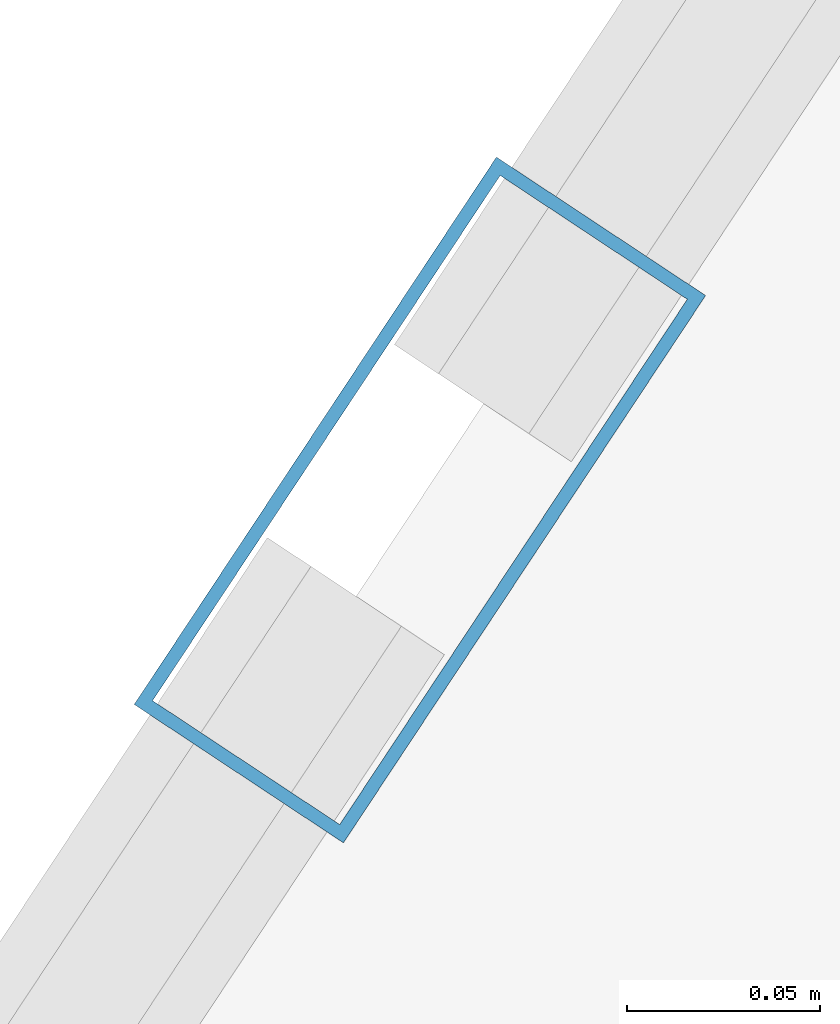
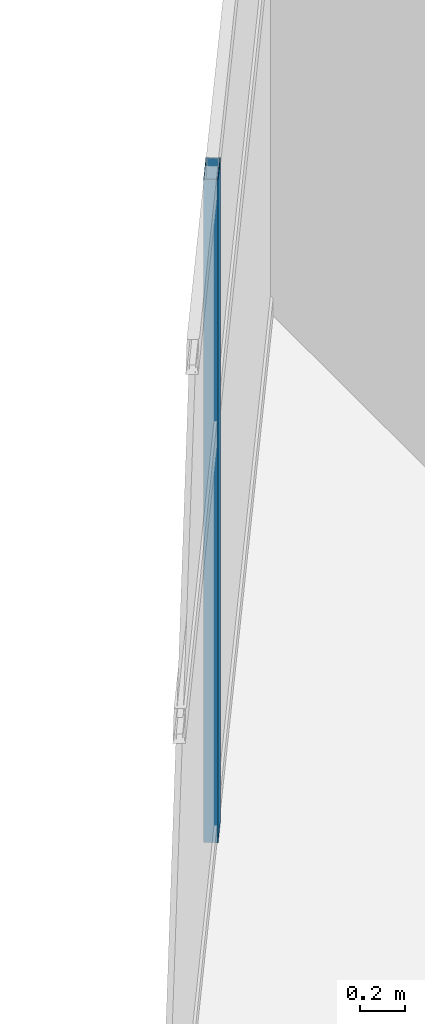
# One storey, part 13 of 28: 1 member, 1 element without a shape of its own.
"""IFC4 building model written with IfcOpenShell, lengths in metres."""

from ifc_helpers import new_model, si_unit, direction, frame, origin, origin_2d, place, context, subcontext, project, spatial, hollow_rectangle, extrude, material, layer, layer_set, material_profile, profile_set, type_object, element, aggregate, save


model = new_model("IFC4")

# Units and contexts
model_context = context("Model", 3, precision=1e-05, world=origin(), true_north=direction((0.0, 1.0)))
body_context = subcontext(model_context, "Body", "Model", "MODEL_VIEW")
ifc_project = project(units=[si_unit("LENGTHUNIT", "METRE"), si_unit("AREAUNIT", "SQUARE_METRE"), si_unit("VOLUMEUNIT", "CUBIC_METRE"), si_unit("PLANEANGLEUNIT", "RADIAN"), si_unit("MASSUNIT", "GRAM", prefix="KILO")], contexts=[model_context])

# Site, building, storey
site_placement = place(None, origin())
site = spatial("IfcSite", under=ifc_project, at=site_placement, CompositionType="ELEMENT")
building_placement = place(site_placement, origin())
building = spatial("IfcBuilding", under=site, at=building_placement, Name="Calvorn Quay Hotel", CompositionType="ELEMENT")
storey_placement = place(building_placement, frame((0.0, 0.0, 267.300048828125)))
storey = spatial("IfcBuildingStorey", under=building, at=storey_placement, Name="L66", CompositionType="ELEMENT", Elevation=267.300048828125)

# Curtain wall, member
ifc_material_1 = material(Name="Champagne Bronze Anodised Aluminium and Low-E Glass", Category="aluminium")
ifc_layer = layer(ifc_material_1, 0.219970703125)
ifc_layer_set = layer_set([ifc_layer], Name="CW-SYS-Z4")
curtain_wall_type = type_object("IfcCurtainWallType", Name="CW-SYS-Z4", PredefinedType="NOTDEFINED", material=ifc_layer_set)
curtain_wall_placement = place(storey_placement, origin())
curtain_wall = element("IfcCurtainWall", 1, at=curtain_wall_placement, inside=storey, type_object=curtain_wall_type, Name="Inner Court Curtain Wall L66-NE1", PredefinedType="NOTDEFINED")
ifc_material_2 = material(Name="Champagne Bronze Anodised Aluminium 6063-T6", Category="aluminium")
ifc_material_profile = material_profile(ifc_material_2, hollow_rectangle(XDim=0.06494140625, YDim=0.169921875, WallThickness=0.00341796875, at=origin_2d()), Name="ALU-M170x65x3.5")
ifc_profile_set = profile_set([ifc_material_profile], Name="Champagne Bronze Anodised Aluminium 6063-T6")
member_type = type_object("IfcMemberType", Name="CW-SYS-Z4-MUL", PredefinedType="MULLION", material=ifc_profile_set)
member_placement = place(storey_placement, frame((26.10009765625, 31.199951171875, 0.0), z_axis=(0.0, 0.0, 1.0), x_axis=(0.833932205724, -0.551866900852, 0.0)))
member = element("IfcMember", 2, at=member_placement, type_object=member_type, Name="CW-L66-NE1 mullion 2", PredefinedType="MULLION", context=body_context, shape_type="SweptSolid", body=[
    extrude(hollow_rectangle(XDim=0.06494140625, YDim=0.169921875, WallThickness=0.00341796875, at=origin_2d()), origin(), (0.0, 0.0, 1.0), 3.56005859375),
])
aggregate(curtain_wall, [member])

save(model, "model.ifc")
